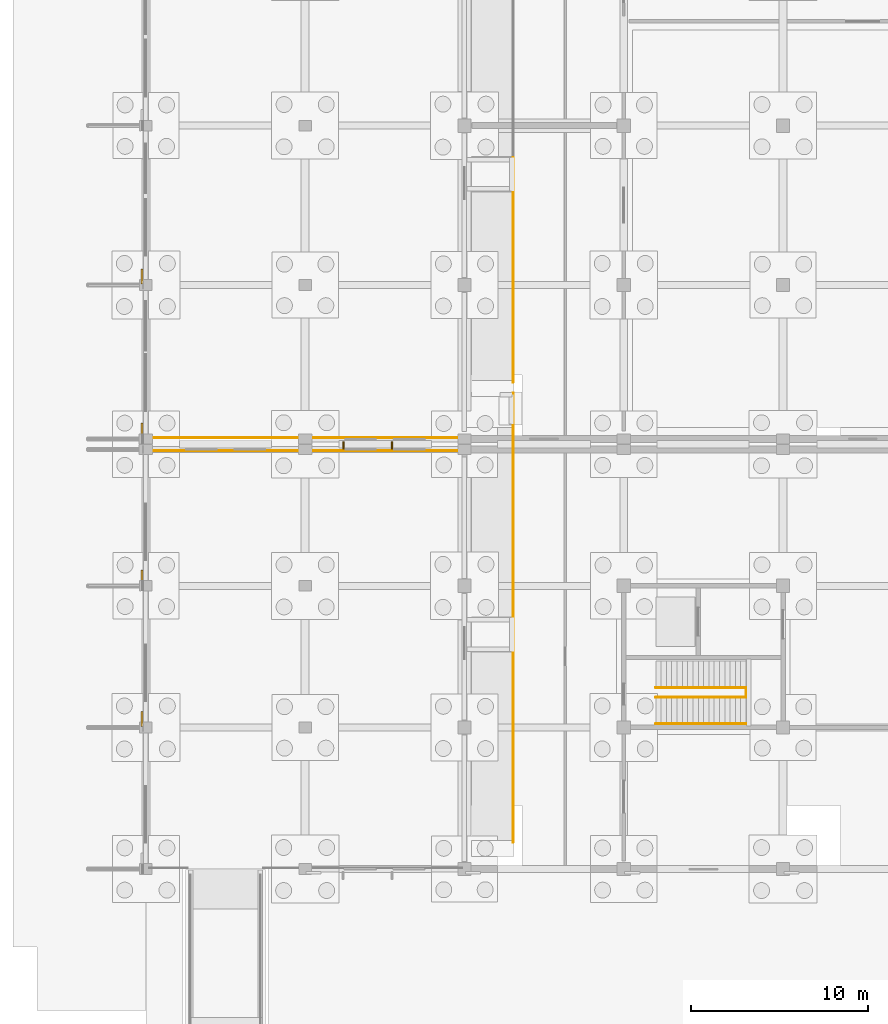
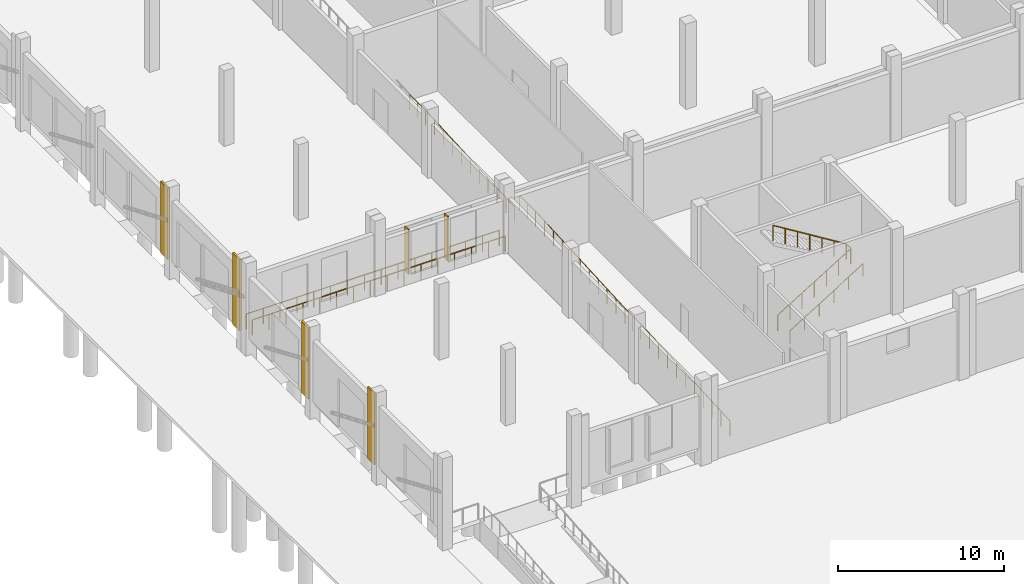
# One storey, part 79 of 99: 9 railings, 4 coverings, 2 shading devices.
"""IFC4 building model written with IfcOpenShell, lengths in metres."""

import ifcopenshell
import ifcopenshell.guid

model = None  # the IFC model being written
_history = None  # IfcOwnerHistory: only IFC2X3 demands one
_inside = {}  # id of a spatial element -> (the spatial element, [elements in it])
_under = {}  # id of a project, library or spatial element -> (it, [spatial elements below it])
_declared = {}  # id of a project -> (the project, [libraries it declares])
_typed = {}  # id of a type object -> (the type object, [elements of that type])
_made_of = {}  # id of a material, layer set ... -> (it, [elements and type objects made of it])


def new_model(schema):
    """Start an empty IFC model of exactly this schema.

    Asked for "IFC4X3", IfcOpenShell would pick the latest addendum, in which some entities
    have other attributes; the version numbers below select the first issue.
    IFC2X3 requires an IfcOwnerHistory on every rooted entity: one is made here for all.
    """
    global model, _history
    if schema == "IFC4X3":
        model = ifcopenshell.file(schema_version=(4, 3, 0, 0))
    else:
        model = ifcopenshell.file(schema=schema)
    _inside.clear()
    _under.clear()
    _declared.clear()
    _typed.clear()
    _made_of.clear()
    _history = None
    if model.schema == "IFC2X3":
        org = make("IfcOrganization", Name="unknown")
        user = make(
            "IfcPersonAndOrganization",
            ThePerson=make("IfcPerson", FamilyName="unknown"),
            TheOrganization=org,
        )
        app = make(
            "IfcApplication",
            ApplicationDeveloper=org,
            Version="unknown",
            ApplicationFullName="unknown",
            ApplicationIdentifier="unknown",
        )
        _history = make(
            "IfcOwnerHistory",
            OwningUser=user,
            OwningApplication=app,
            ChangeAction="ADDED",
            CreationDate=0,
        )
    return model


def make(cls, **values):
    """One entity of the class cls with the attributes given. An attribute that is None is left unset."""
    return model.create_entity(
        cls, **{name: value for name, value in values.items() if value is not None}
    )


def rooted(cls, **values):
    """An entity with a GlobalId (a new one), such as an element, a storey or a relation."""
    return make(cls, GlobalId=ifcopenshell.guid.new(), OwnerHistory=_history, **values)


def si_unit(unit_type, name, prefix=None):
    """IfcSIUnit, for example si_unit("LENGTHUNIT", "METRE", prefix="MILLI")."""
    return make("IfcSIUnit", UnitType=unit_type, Prefix=prefix, Name=name)


def assignment(units):
    """IfcUnitAssignment: the units of a project."""
    return None if units is None else make("IfcUnitAssignment", Units=units)


def point(xyz):
    """IfcCartesianPoint."""
    return None if xyz is None else make("IfcCartesianPoint", Coordinates=xyz)


def direction(xyz):
    """IfcDirection."""
    return None if xyz is None else make("IfcDirection", DirectionRatios=xyz)


def frame(location, z_axis=None, x_axis=None):
    """IfcAxis2Placement3D, a coordinate frame: its origin and axes. An axis left out is left unset."""
    return make(
        "IfcAxis2Placement3D",
        Location=point(location),
        Axis=direction(z_axis),
        RefDirection=direction(x_axis),
    )


def frame_2d(location, x_axis=None):
    """IfcAxis2Placement2D, a coordinate frame in the plane: its origin and x axis."""
    return make(
        "IfcAxis2Placement2D", Location=point(location), RefDirection=direction(x_axis)
    )


def origin():
    """The frame at (0, 0, 0) with its axes left unset."""
    return frame((0.0, 0.0, 0.0))


def origin_2d():
    """The frame at (0, 0) in the plane with its x axis left unset."""
    return frame_2d((0.0, 0.0))


def place(relative_to, where):
    """IfcLocalPlacement: puts the frame where relative to a parent placement (None: the world)."""
    return make(
        "IfcLocalPlacement", PlacementRelTo=relative_to, RelativePlacement=where
    )


def context(
    kind, dimensions, precision=None, world=None, true_north=None, identifier=None
):
    """IfcGeometricRepresentationContext, for example the 3D "Model" context."""
    return make(
        "IfcGeometricRepresentationContext",
        ContextIdentifier=identifier,
        ContextType=kind,
        CoordinateSpaceDimension=dimensions,
        Precision=precision,
        WorldCoordinateSystem=world,
        TrueNorth=true_north,
    )


def subcontext(parent, identifier, kind, view, scale=None):
    """IfcGeometricRepresentationSubContext, for example "Body" below "Model"."""
    return make(
        "IfcGeometricRepresentationSubContext",
        ContextIdentifier=identifier,
        ContextType=kind,
        ParentContext=parent,
        TargetScale=scale,
        TargetView=view,
    )


def project(units=None, contexts=None):
    """IfcProject with its units and contexts."""
    return rooted(
        "IfcProject",
        Name="project",
        RepresentationContexts=contexts,
        UnitsInContext=assignment(units),
    )


def spatial(cls, under=None, at=None, **own):
    """A site, building, storey or space (cls), placed at a placement, below another one or the project."""
    s = rooted(cls, ObjectPlacement=at, **own)
    if under is not None:
        _under.setdefault(under.id(), (under, []))[1].append(s)
    return s


def profile(cls, at=None, kind="AREA", **sizes):
    """A parametric profile (cls). Its sizes go by their IFC names, for example OverallWidth=200.0."""
    return make(cls, ProfileType=kind, Position=at, **sizes)


def rectangle(**sizes):
    """IfcRectangleProfileDef."""
    return profile("IfcRectangleProfileDef", **sizes)


def circle(**sizes):
    """IfcCircleProfileDef."""
    return profile("IfcCircleProfileDef", **sizes)


def extrude(swept, where, along, depth):
    """IfcExtrudedAreaSolid: the profile swept, set in the frame where, extruded along a direction by depth."""
    return make(
        "IfcExtrudedAreaSolid",
        SweptArea=swept,
        Position=where,
        ExtrudedDirection=direction(along),
        Depth=depth,
    )


def shape(context_of_items, identifier, shape_type, items):
    """IfcShapeRepresentation: the items that make up one representation, for example the "Body"."""
    return make(
        "IfcShapeRepresentation",
        ContextOfItems=context_of_items,
        RepresentationIdentifier=identifier,
        RepresentationType=shape_type,
        Items=items,
    )


def material(Name=None, Category=None):
    """IfcMaterial."""
    return make("IfcMaterial", Name=Name, Category=Category)


def layer(
    of_material, thickness, ventilated=None, Name=None, Category=None, Priority=None
):
    """IfcMaterialLayer: one layer of a wall or slab, of a material (None: an air gap)."""
    return make(
        "IfcMaterialLayer",
        Material=of_material,
        LayerThickness=thickness,
        IsVentilated=ventilated,
        Name=Name,
        Category=Category,
        Priority=Priority,
    )


def layer_set(layers, Name=None):
    """IfcMaterialLayerSet."""
    return make("IfcMaterialLayerSet", MaterialLayers=layers, LayerSetName=Name)


def made_of(thing, what):
    """Note that an element or type object is made of a material, layer set ...; save() writes the relation."""
    if what is not None:
        _made_of.setdefault(what.id(), (what, []))[1].append(thing)
    return thing


def type_object(cls, material=None, **own):
    """A type object (cls), such as IfcWallType, which elements share."""
    return made_of(rooted(cls, **own), material)


def element(
    cls,
    number,
    at=None,
    inside=None,
    cuts=None,
    type_object=None,
    material=None,
    context=None,
    identifier="Body",
    shape_type=None,
    held_by="IfcProductDefinitionShape",
    body=None,
    shapes=None,
    **own,
):
    """One element of the class cls, such as IfcWall. Its Tag is "e" and its number.

    at: its placement. inside: the storey or other place that contains it. cuts: it is an
    opening in that element (IfcRelVoidsElement). A single representation is given by context,
    identifier, shape_type and body (its items); several are given by shapes. held_by: the class
    of the entity that holds the representations. save() writes the other relations.
    """
    e = rooted(cls, Tag="e%d" % number, ObjectPlacement=at, **own)
    if body is not None:
        shapes = [shape(context, identifier, shape_type, body)]
    if shapes is not None:
        e.Representation = make(held_by, Representations=shapes)
    if inside is not None:
        _inside.setdefault(inside.id(), (inside, []))[1].append(e)
    if cuts is not None:
        rooted(
            "IfcRelVoidsElement", RelatingBuildingElement=cuts, RelatedOpeningElement=e
        )
    if type_object is not None:
        _typed.setdefault(type_object.id(), (type_object, []))[1].append(e)
    return made_of(e, material)


def aggregate(whole, parts):
    """IfcRelAggregates: a whole, such as a stair, and the parts it consists of."""
    return rooted("IfcRelAggregates", RelatingObject=whole, RelatedObjects=parts)


def save(model, path):
    """Write the relations noted so far, then the file.

    IfcRelAggregates (storeys below a building ...), IfcRelContainedInSpatialStructure (elements
    in a storey), IfcRelDefinesByType, IfcRelAssociatesMaterial and IfcRelDeclares: one each for
    every whole, place, type object, material and project.
    """
    for whole, parts in _under.values():
        aggregate(whole, parts)
    for where, things in _inside.values():
        rooted(
            "IfcRelContainedInSpatialStructure",
            RelatedElements=things,
            RelatingStructure=where,
        )
    for kind, things in _typed.values():
        rooted("IfcRelDefinesByType", RelatedObjects=things, RelatingType=kind)
    for what, things in _made_of.values():
        rooted("IfcRelAssociatesMaterial", RelatedObjects=things, RelatingMaterial=what)
    for by, libraries in _declared.values():
        rooted("IfcRelDeclares", RelatingContext=by, RelatedDefinitions=libraries)
    model.write(path)


model = new_model("IFC4")

# Units and contexts
model_context = context("Model", 3, precision=1e-05, world=origin(), true_north=direction((0.0, 1.0)))
body_context = subcontext(model_context, "Body", "Model", "MODEL_VIEW")
ifc_project = project(units=[si_unit("LENGTHUNIT", "METRE"), si_unit("AREAUNIT", "SQUARE_METRE"), si_unit("VOLUMEUNIT", "CUBIC_METRE"), si_unit("PLANEANGLEUNIT", "RADIAN"), si_unit("MASSUNIT", "GRAM", prefix="KILO")], contexts=[model_context])

# Site, building, storey
site_placement = place(None, origin())
site = spatial("IfcSite", under=ifc_project, at=site_placement, CompositionType="ELEMENT")
building_placement = place(site_placement, origin())
building = spatial("IfcBuilding", under=site, at=building_placement, Name="Zacnel Wholesale Market", CompositionType="ELEMENT")
storey_placement = place(building_placement, origin())
storey = spatial("IfcBuildingStorey", under=building, at=storey_placement, Name="L01", CompositionType="ELEMENT", Elevation=0.0)

# Coverings
ifc_material_1 = material(Name="Honed Yucatan Maya cream limestone", Category="masonry")
ifc_layer_1 = layer(ifc_material_1, 0.090087890625)
ifc_layer_set_1 = layer_set([ifc_layer_1], Name="Honed Yucatan Maya cream limestone")
covering_type = type_object("IfcCoveringType", Name="COV-CLAD-FRET", PredefinedType="CLADDING", material=ifc_layer_set_1)
for number, where, z_axis, x_axis, name in (
    (1, (-0.2099609375, 32.47998046875, 1.2451171875), (0.0, 0.0, 1.0), (0.0, 1.0, 0.0), "Fluted Mayan-Deco limestone pilaster L01-0003"),
    (2, (-0.2099609375, 40.47998046875, 1.2451171875), (0.0, 0.0, 1.0), (0.0, 1.0, 0.0), "Fluted Mayan-Deco limestone pilaster L01-0004"),
    (3, (-0.2099609375, 48.780029296875, 1.2451171875), (0.0, 0.0, 1.0), (0.0, 1.0, 0.0), "Fluted Mayan-Deco limestone pilaster L01-0005"),
    (4, (-0.2099609375, 57.47998046875, 1.2451171875), (0.0, 0.0, 1.0), (0.0, 1.0, 0.0), "Fluted Mayan-Deco limestone pilaster L01-0006"),
):
    element("IfcCovering", number, at=place(storey_placement, frame(where, z_axis=z_axis, x_axis=x_axis)), inside=storey, type_object=covering_type, Name=name, PredefinedType="CLADDING", context=body_context, shape_type="SweptSolid", body=[
        extrude(rectangle(XDim=0.85009765625, YDim=0.1201171875, at=origin_2d()), origin(), (0.0, 0.0, 1.0), 5.27490234375),
    ])

# Railings
ifc_material_2 = material(Name="Galvanized steel", Category="steel")
railing_type_1 = type_object("IfcRailingType", Name="RAL-HANDRAIL-920", PredefinedType="HANDRAIL", material=ifc_material_2)
railing_1_placement = place(storey_placement, frame((28.81005859375, 32.2099609375, 0.0)))
element("IfcRailing", 5, at=railing_1_placement, inside=storey, type_object=railing_type_1, Name="Stair ST-07 wall handrail", PredefinedType="HANDRAIL", context=body_context, shape_type="SweptSolid", body=[
    extrude(circle(Radius=0.02099609375, at=origin_2d()), frame((0.0, 0.0, 0.89892578125), z_axis=(0.850798532938, 0.0, 0.525492013594), x_axis=(0.0, 1.0, 0.0)), (0.0, 0.0, 1.0), 5.994140625),
    extrude(circle(Radius=0.01806640625, at=origin_2d()), origin(), (0.0, 0.0, 1.0), 0.8779296875),
    extrude(circle(Radius=0.01806640625, at=origin_2d()), frame((1.02001953125, 0.0, 0.6298828125)), (0.0, 0.0, 1.0), 0.8779296875),
    extrude(circle(Radius=0.01806640625, at=origin_2d()), frame((2.0400390625, 0.0, 1.260009765625)), (0.0, 0.0, 1.0), 0.8779296875),
    extrude(circle(Radius=0.01806640625, at=origin_2d()), frame((3.059814453125, 0.0, 1.889892578125)), (0.0, 0.0, 1.0), 0.8779296875),
    extrude(circle(Radius=0.01806640625, at=origin_2d()), frame((4.079833984375, 0.0, 2.52001953125)), (0.0, 0.0, 1.0), 0.8779296875),
    extrude(circle(Radius=0.01806640625, at=origin_2d()), frame((5.099853515625, 0.0, 3.14990234375)), (0.0, 0.0, 1.0), 0.8779296875),
])
ifc_material_3 = material(Name="Galvanized steel", Category="steel")
railing_type_2 = type_object("IfcRailingType", Name="RAL-STAIR-GD1150", PredefinedType="BALUSTRADE", material=ifc_material_3)
railing_2_placement = place(storey_placement, frame((28.81005859375, 33.699951171875, 0.0)))
element("IfcRailing", 6, at=railing_2_placement, inside=storey, type_object=railing_type_2, Name="Stair balustrade INT-STAIR-ST-07-GDIN-1", PredefinedType="BALUSTRADE", context=body_context, shape_type="SweptSolid", body=[
    extrude(circle(Radius=0.02392578125, at=origin_2d()), frame((0.0, 0.0, 1.1259765625), z_axis=(0.850798532938, 0.0, 0.525492013594), x_axis=(0.0, 1.0, 0.0)), (0.0, 0.0, 1.0), 5.994140625),
    extrude(circle(Radius=0.02099609375, at=origin_2d()), origin(), (0.0, 0.0, 1.0), 1.101806640625),
    extrude(circle(Radius=0.02099609375, at=origin_2d()), frame((0.85009765625, 0.0, 0.52490234375)), (0.0, 0.0, 1.0), 1.101806640625),
    extrude(circle(Radius=0.02099609375, at=origin_2d()), frame((1.699951171875, 0.0, 1.050048828125)), (0.0, 0.0, 1.0), 1.101806640625),
    extrude(circle(Radius=0.02099609375, at=origin_2d()), frame((2.5498046875, 0.0, 1.574951171875)), (0.0, 0.0, 1.0), 1.101806640625),
    extrude(circle(Radius=0.02099609375, at=origin_2d()), frame((3.39990234375, 0.0, 2.099853515625)), (0.0, 0.0, 1.0), 1.101806640625),
    extrude(circle(Radius=0.02099609375, at=origin_2d()), frame((4.25, 0.0, 2.625)), (0.0, 0.0, 1.0), 1.101806640625),
    extrude(circle(Radius=0.02099609375, at=origin_2d()), frame((5.099853515625, 0.0, 3.14990234375)), (0.0, 0.0, 1.0), 1.101806640625),
])
railing_3_placement = place(storey_placement, frame((33.909912109375, 33.699951171875, 3.14990234375)))
element("IfcRailing", 7, at=railing_3_placement, inside=storey, type_object=railing_type_2, Name="Stair balustrade INT-STAIR-ST-07-GDIN-2", PredefinedType="BALUSTRADE", context=body_context, shape_type="SweptSolid", body=[
    extrude(circle(Radius=0.02392578125, at=origin_2d()), frame((0.0, 0.0, 1.1259765625), z_axis=(0.0, 1.0, 0.0), x_axis=(-1.0, 0.0, 0.0)), (0.0, 0.0, 1.0), 0.550048828125),
    extrude(circle(Radius=0.02099609375, at=origin_2d()), origin(), (0.0, 0.0, 1.0), 1.101806640625),
    extrude(circle(Radius=0.02099609375, at=origin_2d()), frame((0.0, 0.550048828125, 0.0)), (0.0, 0.0, 1.0), 1.101806640625),
])
railing_4_placement = place(storey_placement, frame((33.909912109375, 34.25, 3.14990234375)))
element("IfcRailing", 8, at=railing_4_placement, inside=storey, type_object=railing_type_2, Name="Stair balustrade INT-STAIR-ST-07-GDIN-3", PredefinedType="BALUSTRADE", context=body_context, shape_type="SweptSolid", body=[
    extrude(circle(Radius=0.02392578125, at=origin_2d()), frame((0.0, 0.0, 1.1259765625), z_axis=(-0.850780323153, 0.0, 0.525521495028), x_axis=(0.0, -1.0, 0.0)), (0.0, 0.0, 1.0), 5.994384765625),
    extrude(circle(Radius=0.02099609375, at=origin_2d()), origin(), (0.0, 0.0, 1.0), 1.101806640625),
    extrude(circle(Radius=0.02099609375, at=origin_2d()), frame((-0.85009765625, 0.0, 0.52490234375)), (0.0, 0.0, 1.0), 1.101806640625),
    extrude(circle(Radius=0.02099609375, at=origin_2d()), frame((-1.699951171875, 0.0, 1.050048828125)), (0.0, 0.0, 1.0), 1.101806640625),
    extrude(circle(Radius=0.02099609375, at=origin_2d()), frame((-2.5498046875, 0.0, 1.5751953125)), (0.0, 0.0, 1.0), 1.101806640625),
    extrude(circle(Radius=0.02099609375, at=origin_2d()), frame((-3.39990234375, 0.0, 2.10009765625)), (0.0, 0.0, 1.0), 1.101806640625),
    extrude(circle(Radius=0.02099609375, at=origin_2d()), frame((-4.25, 0.0, 2.625)), (0.0, 0.0, 1.0), 1.101806640625),
    extrude(circle(Radius=0.02099609375, at=origin_2d()), frame((-5.099853515625, 0.0, 3.150146484375)), (0.0, 0.0, 1.0), 1.101806640625),
])
railing_5_placement = place(storey_placement, frame((20.75, 25.5, 0.0)))
element("IfcRailing", 9, at=railing_5_placement, inside=storey, type_object=railing_type_2, Name="Accessible ramp RP-01 (RMP-DOCK-S) guard 1", PredefinedType="BALUSTRADE", context=body_context, shape_type="SweptSolid", body=[
    extrude(circle(Radius=0.02392578125, at=origin_2d()), frame((0.0, 0.0, 1.1259765625), z_axis=(0.0, 0.998395448202, 0.05662622193), x_axis=(-1.0, 0.0, 0.0)), (0.0, 0.0, 1.0), 10.8173828125),
    extrude(circle(Radius=0.02392578125, at=origin_2d()), frame((0.0, 10.800048828125, 1.73828125), z_axis=(0.0, 1.0, 0.0), x_axis=(-1.0, 0.0, 0.0)), (0.0, 0.0, 1.0), 1.89990234375),
    extrude(circle(Radius=0.02099609375, at=origin_2d()), origin(), (0.0, 0.0, 1.0), 1.101806640625),
    extrude(circle(Radius=0.02099609375, at=origin_2d()), frame((0.0, 1.080078125, 0.061279296875)), (0.0, 0.0, 1.0), 1.101806640625),
    extrude(circle(Radius=0.02099609375, at=origin_2d()), frame((0.0, 2.159912109375, 0.12255859375)), (0.0, 0.0, 1.0), 1.101806640625),
    extrude(circle(Radius=0.02099609375, at=origin_2d()), frame((0.0, 3.239990234375, 0.183837890625)), (0.0, 0.0, 1.0), 1.101806640625),
    extrude(circle(Radius=0.02099609375, at=origin_2d()), frame((0.0, 4.320068359375, 0.2451171875)), (0.0, 0.0, 1.0), 1.101806640625),
    extrude(circle(Radius=0.02099609375, at=origin_2d()), frame((0.0, 5.39990234375, 0.30615234375)), (0.0, 0.0, 1.0), 1.101806640625),
    extrude(circle(Radius=0.02099609375, at=origin_2d()), frame((0.0, 6.47998046875, 0.367431640625)), (0.0, 0.0, 1.0), 1.101806640625),
    extrude(circle(Radius=0.02099609375, at=origin_2d()), frame((0.0, 7.56005859375, 0.4287109375)), (0.0, 0.0, 1.0), 1.101806640625),
    extrude(circle(Radius=0.02099609375, at=origin_2d()), frame((0.0, 8.64013671875, 0.489990234375)), (0.0, 0.0, 1.0), 1.101806640625),
    extrude(circle(Radius=0.02099609375, at=origin_2d()), frame((0.0, 9.719970703125, 0.55126953125)), (0.0, 0.0, 1.0), 1.101806640625),
    extrude(circle(Radius=0.02099609375, at=origin_2d()), frame((0.0, 10.800048828125, 0.612548828125)), (0.0, 0.0, 1.0), 1.101806640625),
    extrude(circle(Radius=0.02099609375, at=origin_2d()), frame((0.0, 11.75, 0.612548828125)), (0.0, 0.0, 1.0), 1.101806640625),
    extrude(circle(Radius=0.02099609375, at=origin_2d()), frame((0.0, 12.699951171875, 0.612548828125)), (0.0, 0.0, 1.0), 1.101806640625),
])
railing_6_placement = place(storey_placement, frame((20.75, 38.199951171875, 0.612548828125)))
element("IfcRailing", 10, at=railing_6_placement, inside=storey, type_object=railing_type_2, Name="Accessible ramp RP-01 (RMP-DOCK-S) guard 2", PredefinedType="BALUSTRADE", context=body_context, shape_type="SweptSolid", body=[
    extrude(circle(Radius=0.02392578125, at=origin_2d()), frame((0.0, 0.0, 1.1259765625), z_axis=(0.0, 0.998395448202, 0.05662622193), x_axis=(-1.0, 0.0, 0.0)), (0.0, 0.0, 1.0), 10.8173828125),
    extrude(circle(Radius=0.02392578125, at=origin_2d()), frame((0.0, 10.800048828125, 1.73828125), z_axis=(0.0, 1.0, 0.0), x_axis=(-1.0, 0.0, 0.0)), (0.0, 0.0, 1.0), 1.89990234375),
    extrude(circle(Radius=0.02099609375, at=origin_2d()), origin(), (0.0, 0.0, 1.0), 1.101806640625),
    extrude(circle(Radius=0.02099609375, at=origin_2d()), frame((0.0, 1.080078125, 0.061279296875)), (0.0, 0.0, 1.0), 1.101806640625),
    extrude(circle(Radius=0.02099609375, at=origin_2d()), frame((0.0, 2.159912109375, 0.12255859375)), (0.0, 0.0, 1.0), 1.101806640625),
    extrude(circle(Radius=0.02099609375, at=origin_2d()), frame((0.0, 3.239990234375, 0.183837890625)), (0.0, 0.0, 1.0), 1.101806640625),
    extrude(circle(Radius=0.02099609375, at=origin_2d()), frame((0.0, 4.320068359375, 0.2451171875)), (0.0, 0.0, 1.0), 1.101806640625),
    extrude(circle(Radius=0.02099609375, at=origin_2d()), frame((0.0, 5.39990234375, 0.30615234375)), (0.0, 0.0, 1.0), 1.101806640625),
    extrude(circle(Radius=0.02099609375, at=origin_2d()), frame((0.0, 6.47998046875, 0.367431640625)), (0.0, 0.0, 1.0), 1.101806640625),
    extrude(circle(Radius=0.02099609375, at=origin_2d()), frame((0.0, 7.56005859375, 0.4287109375)), (0.0, 0.0, 1.0), 1.101806640625),
    extrude(circle(Radius=0.02099609375, at=origin_2d()), frame((0.0, 8.64013671875, 0.489990234375)), (0.0, 0.0, 1.0), 1.101806640625),
    extrude(circle(Radius=0.02099609375, at=origin_2d()), frame((0.0, 9.719970703125, 0.55126953125)), (0.0, 0.0, 1.0), 1.101806640625),
    extrude(circle(Radius=0.02099609375, at=origin_2d()), frame((0.0, 10.800048828125, 0.612548828125)), (0.0, 0.0, 1.0), 1.101806640625),
    extrude(circle(Radius=0.02099609375, at=origin_2d()), frame((0.0, 11.75, 0.612548828125)), (0.0, 0.0, 1.0), 1.101806640625),
    extrude(circle(Radius=0.02099609375, at=origin_2d()), frame((0.0, 12.699951171875, 0.612548828125)), (0.0, 0.0, 1.0), 1.101806640625),
])
railing_7_placement = place(storey_placement, frame((20.75, 51.5, 0.0)))
element("IfcRailing", 11, at=railing_7_placement, inside=storey, type_object=railing_type_2, Name="Accessible ramp RP-01 (RMP-DOCK-M) guard 1", PredefinedType="BALUSTRADE", context=body_context, shape_type="SweptSolid", body=[
    extrude(circle(Radius=0.02392578125, at=origin_2d()), frame((0.0, 0.0, 1.1259765625), z_axis=(0.0, 0.998395448202, 0.05662622193), x_axis=(-1.0, 0.0, 0.0)), (0.0, 0.0, 1.0), 10.8173828125),
    extrude(circle(Radius=0.02392578125, at=origin_2d()), frame((0.0, 10.800048828125, 1.73828125), z_axis=(0.0, 1.0, 0.0), x_axis=(-1.0, 0.0, 0.0)), (0.0, 0.0, 1.0), 1.89990234375),
    extrude(circle(Radius=0.02099609375, at=origin_2d()), origin(), (0.0, 0.0, 1.0), 1.101806640625),
    extrude(circle(Radius=0.02099609375, at=origin_2d()), frame((0.0, 1.080078125, 0.061279296875)), (0.0, 0.0, 1.0), 1.101806640625),
    extrude(circle(Radius=0.02099609375, at=origin_2d()), frame((0.0, 2.159912109375, 0.12255859375)), (0.0, 0.0, 1.0), 1.101806640625),
    extrude(circle(Radius=0.02099609375, at=origin_2d()), frame((0.0, 3.239990234375, 0.183837890625)), (0.0, 0.0, 1.0), 1.101806640625),
    extrude(circle(Radius=0.02099609375, at=origin_2d()), frame((0.0, 4.320068359375, 0.2451171875)), (0.0, 0.0, 1.0), 1.101806640625),
    extrude(circle(Radius=0.02099609375, at=origin_2d()), frame((0.0, 5.39990234375, 0.30615234375)), (0.0, 0.0, 1.0), 1.101806640625),
    extrude(circle(Radius=0.02099609375, at=origin_2d()), frame((0.0, 6.47998046875, 0.367431640625)), (0.0, 0.0, 1.0), 1.101806640625),
    extrude(circle(Radius=0.02099609375, at=origin_2d()), frame((0.0, 7.56005859375, 0.4287109375)), (0.0, 0.0, 1.0), 1.101806640625),
    extrude(circle(Radius=0.02099609375, at=origin_2d()), frame((0.0, 8.64013671875, 0.489990234375)), (0.0, 0.0, 1.0), 1.101806640625),
    extrude(circle(Radius=0.02099609375, at=origin_2d()), frame((0.0, 9.719970703125, 0.55126953125)), (0.0, 0.0, 1.0), 1.101806640625),
    extrude(circle(Radius=0.02099609375, at=origin_2d()), frame((0.0, 10.800048828125, 0.612548828125)), (0.0, 0.0, 1.0), 1.101806640625),
    extrude(circle(Radius=0.02099609375, at=origin_2d()), frame((0.0, 11.75, 0.612548828125)), (0.0, 0.0, 1.0), 1.101806640625),
    extrude(circle(Radius=0.02099609375, at=origin_2d()), frame((0.0, 12.699951171875, 0.612548828125)), (0.0, 0.0, 1.0), 1.101806640625),
])
ifc_material_4 = material(Name="Steel S355", Category="steel")
ifc_layer_2 = layer(ifc_material_4, 0.080078125)
ifc_layer_set_2 = layer_set([ifc_layer_2], Name="Steel S355")
railing_type_3 = type_object("IfcRailingType", Name="RL-BAL-1150", PredefinedType="BALUSTRADE", material=ifc_layer_set_2)
railing_8_placement = place(storey_placement, frame((0.199951171875, 47.639892578125, 1.22509765625)))
element("IfcRailing", 12, at=railing_8_placement, inside=storey, type_object=railing_type_3, Name="Terrace safety balustrade GD-DOCK-S1", PredefinedType="BALUSTRADE", context=body_context, shape_type="SweptSolid", body=[
    extrude(circle(Radius=0.02392578125, at=origin_2d()), frame((0.0, 0.0, 1.1259765625), z_axis=(1.0, 0.0, 0.0), x_axis=(0.0, 1.0, 0.0)), (0.0, 0.0, 1.0), 17.650146484375),
    extrude(circle(Radius=0.02099609375, at=origin_2d()), origin(), (0.0, 0.0, 1.0), 1.101806640625),
    extrude(circle(Radius=0.02099609375, at=origin_2d()), frame((1.1767578125, 0.0, 0.0)), (0.0, 0.0, 1.0), 1.101806640625),
    extrude(circle(Radius=0.02099609375, at=origin_2d()), frame((2.353271484375, 0.0, 0.0)), (0.0, 0.0, 1.0), 1.101806640625),
    extrude(circle(Radius=0.02099609375, at=origin_2d()), frame((3.530029296875, 0.0, 0.0)), (0.0, 0.0, 1.0), 1.101806640625),
    extrude(circle(Radius=0.02099609375, at=origin_2d()), frame((4.706787109375, 0.0, 0.0)), (0.0, 0.0, 1.0), 1.101806640625),
    extrude(circle(Radius=0.02099609375, at=origin_2d()), frame((5.88330078125, 0.0, 0.0)), (0.0, 0.0, 1.0), 1.101806640625),
    extrude(circle(Radius=0.02099609375, at=origin_2d()), frame((7.06005859375, 0.0, 0.0)), (0.0, 0.0, 1.0), 1.101806640625),
    extrude(circle(Radius=0.02099609375, at=origin_2d()), frame((8.23681640625, 0.0, 0.0)), (0.0, 0.0, 1.0), 1.101806640625),
    extrude(circle(Radius=0.02099609375, at=origin_2d()), frame((9.413330078125, 0.0, 0.0)), (0.0, 0.0, 1.0), 1.101806640625),
    extrude(circle(Radius=0.02099609375, at=origin_2d()), frame((10.590087890625, 0.0, 0.0)), (0.0, 0.0, 1.0), 1.101806640625),
    extrude(circle(Radius=0.02099609375, at=origin_2d()), frame((11.766845703125, 0.0, 0.0)), (0.0, 0.0, 1.0), 1.101806640625),
    extrude(circle(Radius=0.02099609375, at=origin_2d()), frame((12.943359375, 0.0, 0.0)), (0.0, 0.0, 1.0), 1.101806640625),
    extrude(circle(Radius=0.02099609375, at=origin_2d()), frame((14.1201171875, 0.0, 0.0)), (0.0, 0.0, 1.0), 1.101806640625),
    extrude(circle(Radius=0.02099609375, at=origin_2d()), frame((15.296875, 0.0, 0.0)), (0.0, 0.0, 1.0), 1.101806640625),
    extrude(circle(Radius=0.02099609375, at=origin_2d()), frame((16.473388671875, 0.0, 0.0)), (0.0, 0.0, 1.0), 1.101806640625),
    extrude(circle(Radius=0.02099609375, at=origin_2d()), frame((17.650146484375, 0.0, 0.0)), (0.0, 0.0, 1.0), 1.101806640625),
])
railing_9_placement = place(storey_placement, frame((0.199951171875, 48.360107421875, 1.22509765625)))
element("IfcRailing", 13, at=railing_9_placement, inside=storey, type_object=railing_type_3, Name="Terrace safety balustrade GD-DOCK-S2", PredefinedType="BALUSTRADE", context=body_context, shape_type="SweptSolid", body=[
    extrude(circle(Radius=0.02392578125, at=origin_2d()), frame((0.0, 0.0, 1.1259765625), z_axis=(1.0, 0.0, 0.0), x_axis=(0.0, 1.0, 0.0)), (0.0, 0.0, 1.0), 17.650146484375),
    extrude(circle(Radius=0.02099609375, at=origin_2d()), origin(), (0.0, 0.0, 1.0), 1.101806640625),
    extrude(circle(Radius=0.02099609375, at=origin_2d()), frame((1.1767578125, 0.0, 0.0)), (0.0, 0.0, 1.0), 1.101806640625),
    extrude(circle(Radius=0.02099609375, at=origin_2d()), frame((2.353271484375, 0.0, 0.0)), (0.0, 0.0, 1.0), 1.101806640625),
    extrude(circle(Radius=0.02099609375, at=origin_2d()), frame((3.530029296875, 0.0, 0.0)), (0.0, 0.0, 1.0), 1.101806640625),
    extrude(circle(Radius=0.02099609375, at=origin_2d()), frame((4.706787109375, 0.0, 0.0)), (0.0, 0.0, 1.0), 1.101806640625),
    extrude(circle(Radius=0.02099609375, at=origin_2d()), frame((5.88330078125, 0.0, 0.0)), (0.0, 0.0, 1.0), 1.101806640625),
    extrude(circle(Radius=0.02099609375, at=origin_2d()), frame((7.06005859375, 0.0, 0.0)), (0.0, 0.0, 1.0), 1.101806640625),
    extrude(circle(Radius=0.02099609375, at=origin_2d()), frame((8.23681640625, 0.0, 0.0)), (0.0, 0.0, 1.0), 1.101806640625),
    extrude(circle(Radius=0.02099609375, at=origin_2d()), frame((9.413330078125, 0.0, 0.0)), (0.0, 0.0, 1.0), 1.101806640625),
    extrude(circle(Radius=0.02099609375, at=origin_2d()), frame((10.590087890625, 0.0, 0.0)), (0.0, 0.0, 1.0), 1.101806640625),
    extrude(circle(Radius=0.02099609375, at=origin_2d()), frame((11.766845703125, 0.0, 0.0)), (0.0, 0.0, 1.0), 1.101806640625),
    extrude(circle(Radius=0.02099609375, at=origin_2d()), frame((12.943359375, 0.0, 0.0)), (0.0, 0.0, 1.0), 1.101806640625),
    extrude(circle(Radius=0.02099609375, at=origin_2d()), frame((14.1201171875, 0.0, 0.0)), (0.0, 0.0, 1.0), 1.101806640625),
    extrude(circle(Radius=0.02099609375, at=origin_2d()), frame((15.296875, 0.0, 0.0)), (0.0, 0.0, 1.0), 1.101806640625),
    extrude(circle(Radius=0.02099609375, at=origin_2d()), frame((16.473388671875, 0.0, 0.0)), (0.0, 0.0, 1.0), 1.101806640625),
    extrude(circle(Radius=0.02099609375, at=origin_2d()), frame((17.650146484375, 0.0, 0.0)), (0.0, 0.0, 1.0), 1.101806640625),
])

# Shading devices
ifc_material_5 = material(Name="Honed Yucatan Maya cream limestone", Category="masonry")
shading_device_type = type_object("IfcShadingDeviceType", Name="SHD-FIN-V450", PredefinedType="USERDEFINED", material=ifc_material_5)
for number, where, z_axis, x_axis, name in (
    (14, (11.1650390625, 47.929931640625, 1.8349609375), (0.0, 0.0, 1.0), (1.0, 0.0, 0.0), "Limestone sunshade fin 0003"),
    (15, (13.9150390625, 47.929931640625, 1.8349609375), (0.0, 0.0, 1.0), (1.0, 0.0, 0.0), "Limestone sunshade fin 0004"),
):
    element("IfcShadingDevice", number, at=place(storey_placement, frame(where, z_axis=z_axis, x_axis=x_axis)), inside=storey, type_object=shading_device_type, Name=name, ObjectType="SUNSHADE", PredefinedType="USERDEFINED", context=body_context, shape_type="SweptSolid", body=[
        extrude(rectangle(XDim=0.080078125, YDim=0.43994140625, at=origin_2d()), origin(), (0.0, 0.0, 1.0), 3.300048828125),
    ])

save(model, "model.ifc")
